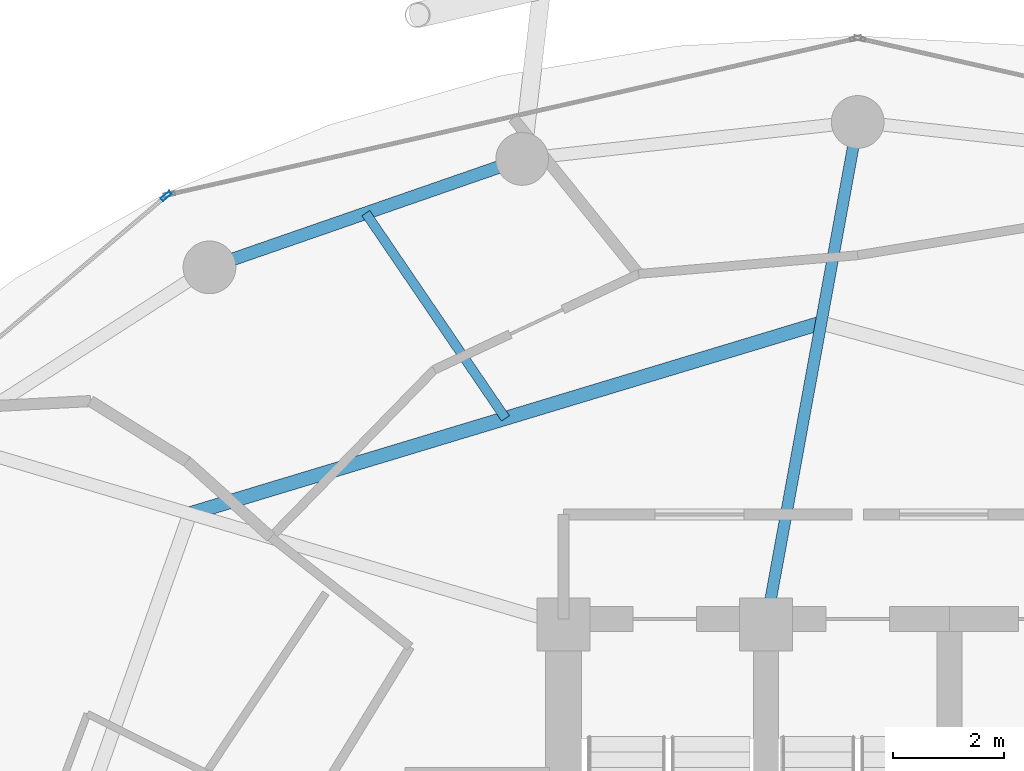
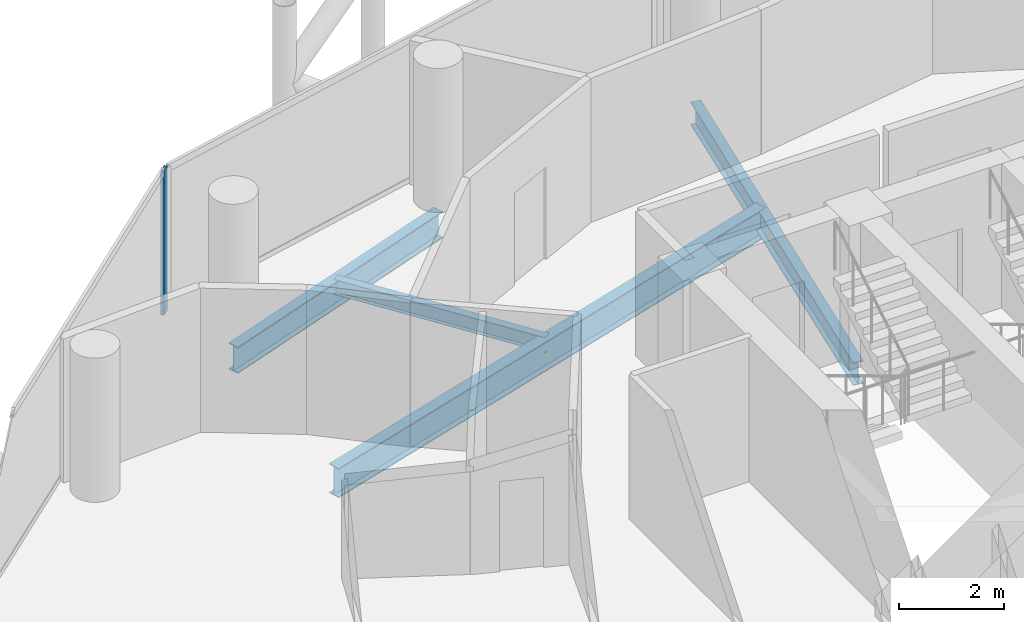
# One storey, part 15 of 26: 4 beams, 1 member, 1 element without a shape of its own.
"""IFC4 building model written with IfcOpenShell, lengths in metres."""

from ifc_helpers import new_model, si_unit, direction, frame, origin, origin_2d, place, context, subcontext, project, spatial, hollow_rectangle, i_section, extrude, material, layer, layer_set, material_profile, profile_set, type_object, element, aggregate, save


model = new_model("IFC4")

# Units and contexts
model_context = context("Model", 3, precision=1e-05, world=origin(), true_north=direction((0.0, 1.0)))
body_context = subcontext(model_context, "Body", "Model", "MODEL_VIEW")
ifc_project = project(units=[si_unit("LENGTHUNIT", "METRE"), si_unit("AREAUNIT", "SQUARE_METRE"), si_unit("VOLUMEUNIT", "CUBIC_METRE"), si_unit("PLANEANGLEUNIT", "RADIAN"), si_unit("MASSUNIT", "GRAM", prefix="KILO")], contexts=[model_context])

# Site, building, storey
site_placement = place(None, origin())
site = spatial("IfcSite", under=ifc_project, at=site_placement, CompositionType="ELEMENT")
building_placement = place(site_placement, origin())
building = spatial("IfcBuilding", under=site, at=building_placement, Name="Nuhasar Tower", CompositionType="ELEMENT")
storey_placement = place(building_placement, frame((0.0, 0.0, 192.25)))
storey = spatial("IfcBuildingStorey", under=building, at=storey_placement, Name="L47", CompositionType="ELEMENT", Elevation=192.25)

# Beams
ifc_material_1 = material(Name="Steel S355", Category="steel")
ifc_material_profile_1 = material_profile(ifc_material_1, i_section(OverallWidth=0.25390625, OverallDepth=0.68408203125, WebThickness=0.012451171875, FlangeThickness=0.018798828125, at=origin_2d()), Name="W27X94")
ifc_profile_set_1 = profile_set([ifc_material_profile_1], Name="Steel S355")
beam_type_1 = type_object("IfcBeamType", Name="BM-INRING-W27X94", PredefinedType="BEAM", material=ifc_profile_set_1)
beam_1_placement = place(storey_placement, frame((38.340087890625, 42.72998046875, -0.592041015625), z_axis=(-0.95722440557, -0.289346569673, 0.0), x_axis=(0.289346569673, -0.95722440557, 0.0)))
element("IfcBeam", 1, at=beam_1_placement, inside=storey, type_object=beam_type_1, Name="L47 Inner Header Beam 06", PredefinedType="BEAM", context=body_context, shape_type="SweptSolid", body=[
    extrude(i_section(OverallWidth=0.25390625, OverallDepth=0.68408203125, WebThickness=0.012451171875, FlangeThickness=0.018798828125, at=origin_2d()), origin(), (0.0, 0.0, 1.0), 11.875244140625),
])
ifc_material_profile_2 = material_profile(ifc_material_1, i_section(OverallWidth=0.1708984375, OverallDepth=0.35205078125, WebThickness=0.0068359375, FlangeThickness=0.009765625, at=origin_2d()), Name="W14X30")
ifc_profile_set_2 = profile_set([ifc_material_profile_2], Name="Steel S355")
beam_type_2 = type_object("IfcBeamType", Name="BM-JST-W14X30", PredefinedType="JOIST", material=ifc_profile_set_2)
beam_2_placement = place(storey_placement, frame((32.656982421875, 41.011962890625, -0.426025390625), z_axis=(-0.562802886474, 0.826591138941, 0.0), x_axis=(-0.826591138941, -0.562802886474, 0.0)))
element("IfcBeam", 2, at=beam_2_placement, inside=storey, type_object=beam_type_2, Name="L47 Secondary Floor Joist 06", PredefinedType="JOIST", context=body_context, shape_type="SweptSolid", body=[
    extrude(i_section(OverallWidth=0.1708984375, OverallDepth=0.35205078125, WebThickness=0.0068359375, FlangeThickness=0.009765625, at=origin_2d()), origin(), (0.0, 0.0, 1.0), 4.47021484375),
])
ifc_material_profile_3 = material_profile(ifc_material_1, i_section(OverallWidth=0.208984375, OverallDepth=0.532958984375, WebThickness=0.01025390625, FlangeThickness=0.015625, at=origin_2d()), Name="W21X62")
ifc_profile_set_3 = profile_set([ifc_material_profile_3], Name="Steel S355")
beam_type_3 = type_object("IfcBeamType", Name="BM-RAD-W21X62", PredefinedType="BEAM", material=ifc_profile_set_3)
beam_3_placement = place(storey_placement, frame((37.35009765625, 37.300048828125, -0.51708984375), z_axis=(0.179352509513, 0.983784873502, 0.0), x_axis=(-0.983784873502, 0.179352509513, 0.0)))
element("IfcBeam", 3, at=beam_3_placement, inside=storey, type_object=beam_type_3, Name="L47 Radial Floor Girder 06", PredefinedType="BEAM", context=body_context, shape_type="SweptSolid", body=[
    extrude(i_section(OverallWidth=0.208984375, OverallDepth=0.532958984375, WebThickness=0.01025390625, FlangeThickness=0.015625, at=origin_2d()), origin(), (0.0, 0.0, 1.0), 9.19921875),
])
ifc_material_profile_4 = material_profile(ifc_material_1, i_section(OverallWidth=0.22998046875, OverallDepth=0.616943359375, WebThickness=0.01318359375, FlangeThickness=0.022216796875, at=origin_2d()), Name="W24X94")
ifc_profile_set_4 = profile_set([ifc_material_profile_4], Name="Steel S355")
beam_type_4 = type_object("IfcBeamType", Name="BM-RING-W24X94", PredefinedType="SPANDREL", material=ifc_profile_set_4)
beam_4_placement = place(storey_placement, frame((32.95703125, 45.68408203125, -0.55908203125), z_axis=(-0.944801380051, -0.327643636066, 0.0), x_axis=(0.327643636066, -0.944801380051, 0.0)))
element("IfcBeam", 4, at=beam_4_placement, inside=storey, type_object=beam_type_4, Name="L47 Perimeter Ring Spandrel 08", PredefinedType="SPANDREL", context=body_context, shape_type="SweptSolid", body=[
    extrude(i_section(OverallWidth=0.22998046875, OverallDepth=0.616943359375, WebThickness=0.01318359375, FlangeThickness=0.022216796875, at=origin_2d()), origin(), (0.0, 0.0, 1.0), 5.961181640625),
])

# Curtain wall, member
ifc_material_2 = material(Name="Aluminium 6063-T6", Category="aluminium")
ifc_layer = layer(ifc_material_2, 0.199951171875)
ifc_layer_set = layer_set([ifc_layer], Name="Aluminium 6063-T6")
curtain_wall_type = type_object("IfcCurtainWallType", Name="CW-Z2-HTL", PredefinedType="NOTDEFINED", material=ifc_layer_set)
curtain_wall_placement = place(storey_placement, origin())
curtain_wall = element("IfcCurtainWall", 5, at=curtain_wall_placement, inside=storey, type_object=curtain_wall_type, Name="L47 Unitised Curtain Wall 05", PredefinedType="NOTDEFINED")
ifc_material_profile_5 = material_profile(ifc_material_2, hollow_rectangle(XDim=0.070068359375, YDim=0.199951171875, WallThickness=0.0048828125, at=origin_2d()), Name="CWM-3")
ifc_profile_set_5 = profile_set([ifc_material_profile_5], Name="Aluminium 6063-T6")
member_type = type_object("IfcMemberType", Name="CW-MUL-S3", PredefinedType="MULLION", material=ifc_profile_set_5)
member_placement = place(storey_placement, frame((26.543212890625, 45.015380859375, 0.0), z_axis=(0.0, 0.0, 1.0), x_axis=(0.646374438324, -0.763020370292, 0.0)))
member = element("IfcMember", 6, at=member_placement, type_object=member_type, Name="CW-Z2 mullion 1", PredefinedType="MULLION", context=body_context, shape_type="SweptSolid", body=[
    extrude(hollow_rectangle(XDim=0.070068359375, YDim=0.199951171875, WallThickness=0.0048828125, at=origin_2d()), origin(), (0.0, 0.0, 1.0), 3.35009765625),
])
aggregate(curtain_wall, [member])

save(model, "model.ifc")
